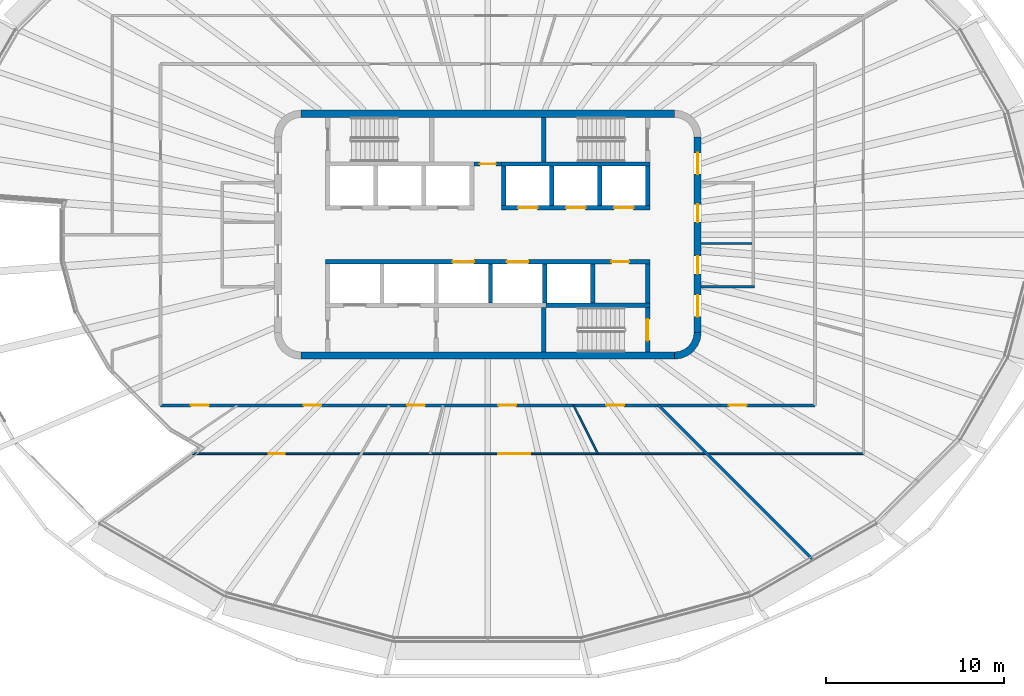
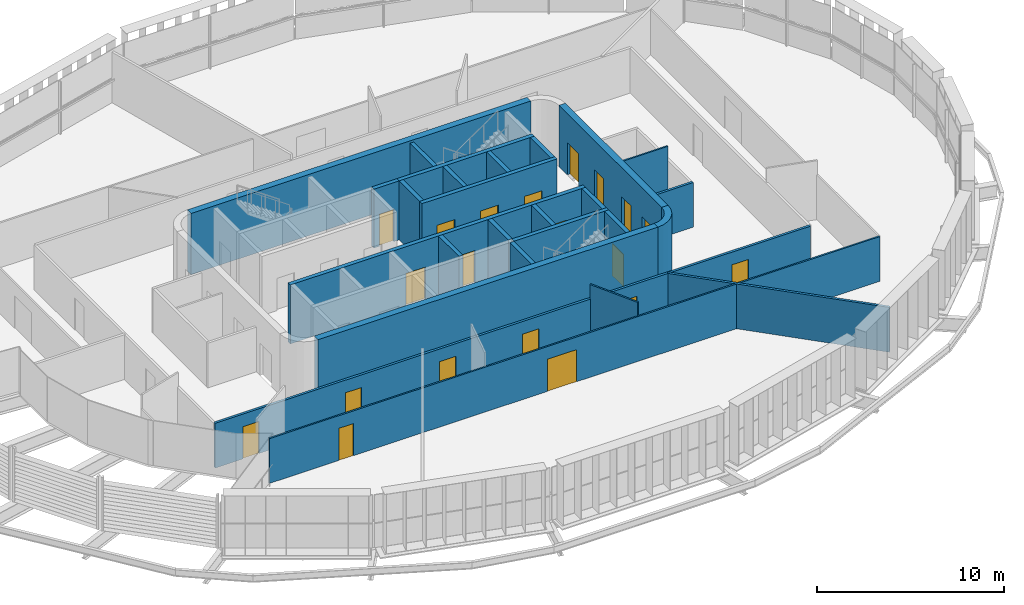
# One storey, part 11 of 19: 26 walls, 20 doors, 20 openings.
"""IFC4 building model written with IfcOpenShell, lengths in metres."""

from ifc_helpers import new_model, si_unit, direction, frame, frame_2d, origin, place, context, subcontext, project, spatial, polyline, rectangle, outline, extrude, material, layer, layer_set, type_object, element, fill, save


model = new_model("IFC4")

# Units and contexts
model_context = context("Model", 3, precision=1e-05, world=origin(), true_north=direction((0.0, 1.0)))
body_context = subcontext(model_context, "Body", "Model", "MODEL_VIEW")
ifc_project = project(units=[si_unit("LENGTHUNIT", "METRE"), si_unit("AREAUNIT", "SQUARE_METRE"), si_unit("VOLUMEUNIT", "CUBIC_METRE"), si_unit("PLANEANGLEUNIT", "RADIAN"), si_unit("MASSUNIT", "GRAM", prefix="KILO")], contexts=[model_context])

# Site, building, storey
site_placement = place(None, origin())
site = spatial("IfcSite", under=ifc_project, at=site_placement, CompositionType="ELEMENT")
building_placement = place(site_placement, origin())
building = spatial("IfcBuilding", under=site, at=building_placement, Name="Sahrelin Media Tower", CompositionType="ELEMENT")
storey_placement = place(building_placement, frame((0.0, 0.0, 229.60009765625)))
storey = spatial("IfcBuildingStorey", under=building, at=storey_placement, Name="L49", CompositionType="ELEMENT", Elevation=229.60009765625)

# Walls
ifc_material_1 = material(Name="Concrete C60/75", Category="concrete")
ifc_layer_1 = layer(ifc_material_1, 0.39990234375)
ifc_layer_set_1 = layer_set([ifc_layer_1], Name="Core wall 400")
wall_type_1 = type_object("IfcWallType", Name="Core wall 400", PredefinedType="SHEAR", material=ifc_layer_set_1)
for number, where, z_axis, x_axis, name in (
    (1, (-10.5, 6.800048828125, 0.0), (0.0, 0.0, 1.0), (1.0, 0.0, 0.0), "Core wall N L49"),
    (2, (-10.5, -6.800048828125, 0.0), (0.0, 0.0, 1.0), (1.0, 0.0, 0.0), "Core wall S L49"),
):
    element("IfcWall", number, at=place(storey_placement, frame(where, z_axis=z_axis, x_axis=x_axis)), inside=storey, type_object=wall_type_1, Name=name, PredefinedType="SHEAR", context=body_context, shape_type="SweptSolid", body=[
        extrude(rectangle(XDim=21.0, YDim=0.39990234375, at=frame_2d((10.5, 0.0))), origin(), (0.0, 0.0, 1.0), 4.0),
    ])

# Wall, openings, doors
wall_1_placement = place(storey_placement, frame((11.800048828125, -5.5, 0.0), z_axis=(0.0, 0.0, 1.0), x_axis=(0.0, 1.0, 0.0)))
wall_1 = element("IfcWall", 3, at=wall_1_placement, inside=storey, type_object=wall_type_1, Name="Core wall E L49", PredefinedType="SHEAR", context=body_context, shape_type="SweptSolid", body=[
    extrude(rectangle(XDim=11.0, YDim=0.39990234375, at=frame_2d((5.5, 0.0))), origin(), (0.0, 0.0, 1.0), 4.0),
])
opening_1_placement = place(wall_1_placement, frame((3.300048828125, 0.0, 0.0)))
opening_1 = element("IfcOpeningElement", 4, at=opening_1_placement, cuts=wall_1, Name="Opening L49-D10", PredefinedType="OPENING", context=body_context, shape_type="SweptSolid", body=[
    extrude(rectangle(XDim=1.0, YDim=2.10009765625, at=frame_2d((0.5, 1.050048828125))), frame((0.0, 0.199951171875, 0.0), z_axis=(0.0, -1.0, 0.0), x_axis=(1.0, 0.0, 0.0)), (0.0, 0.0, 1.0), 0.39990234375),
])
opening_2_placement = place(wall_1_placement, frame((6.199951171875, 0.0, 0.0)))
opening_2 = element("IfcOpeningElement", 5, at=opening_2_placement, cuts=wall_1, Name="Opening L49-D11", PredefinedType="OPENING", context=body_context, shape_type="SweptSolid", body=[
    extrude(rectangle(XDim=1.0, YDim=2.10009765625, at=frame_2d((0.5, 1.050048828125))), frame((0.0, 0.199951171875, 0.0), z_axis=(0.0, -1.0, 0.0), x_axis=(1.0, 0.0, 0.0)), (0.0, 0.0, 1.0), 0.39990234375),
])
opening_3_placement = place(wall_1_placement, frame((0.89990234375, 0.0, 0.0)))
opening_3 = element("IfcOpeningElement", 6, at=opening_3_placement, cuts=wall_1, Name="Opening L49-D14", PredefinedType="OPENING", context=body_context, shape_type="SweptSolid", body=[
    extrude(rectangle(XDim=1.199951171875, YDim=2.10009765625, at=frame_2d((0.60009765625, 1.050048828125))), frame((0.0, 0.199951171875, 0.0), z_axis=(0.0, -1.0, 0.0), x_axis=(1.0, 0.0, 0.0)), (0.0, 0.0, 1.0), 0.39990234375),
])
opening_4_placement = place(wall_1_placement, frame((8.89990234375, 0.0, 0.0)))
opening_4 = element("IfcOpeningElement", 7, at=opening_4_placement, cuts=wall_1, Name="Opening L49-D15", PredefinedType="OPENING", context=body_context, shape_type="SweptSolid", body=[
    extrude(rectangle(XDim=1.199951171875, YDim=2.10009765625, at=frame_2d((0.60009765625, 1.050048828125))), frame((0.0, 0.199951171875, 0.0), z_axis=(0.0, -1.0, 0.0), x_axis=(1.0, 0.0, 0.0)), (0.0, 0.0, 1.0), 0.39990234375),
])
ifc_material_2 = material(Name="Steel fire door leaf", Category="steel")
door_type_1 = type_object("IfcDoorType", Name="Fire door 1000 x 2100 EI 60", OperationType="NOTDEFINED", PredefinedType="DOOR", material=ifc_material_2)
door_1_placement = place(opening_1_placement, origin())
door_1 = element("IfcDoor", 8, at=door_1_placement, inside=storey, type_object=door_type_1, Name="Core room door", OperationType="SINGLE_SWING_RIGHT", OverallHeight=2.10009765625, OverallWidth=1.0, PredefinedType="DOOR", context=body_context, shape_type="SweptSolid", body=[
    extrude(rectangle(XDim=1.0, YDim=2.10009765625, at=frame_2d((0.5, 1.050048828125))), frame((0.0, 0.02490234375, 0.0), z_axis=(0.0, -1.0, 0.0), x_axis=(1.0, 0.0, 0.0)), (0.0, 0.0, 1.0), 0.050048828125),
])
fill(opening_1, door_1)
door_2_placement = place(opening_2_placement, origin())
door_2 = element("IfcDoor", 9, at=door_2_placement, inside=storey, type_object=door_type_1, Name="Core room door", OperationType="SINGLE_SWING_RIGHT", OverallHeight=2.10009765625, OverallWidth=1.0, PredefinedType="DOOR", context=body_context, shape_type="SweptSolid", body=[
    extrude(rectangle(XDim=1.0, YDim=2.10009765625, at=frame_2d((0.5, 1.050048828125))), frame((0.0, 0.02490234375, 0.0), z_axis=(0.0, -1.0, 0.0), x_axis=(1.0, 0.0, 0.0)), (0.0, 0.0, 1.0), 0.050048828125),
])
fill(opening_2, door_2)
door_type_2 = type_object("IfcDoorType", Name="Lobby door 1200 x 2100 EI 60", OperationType="NOTDEFINED", PredefinedType="DOOR", material=ifc_material_2)
door_3_placement = place(opening_3_placement, origin())
door_3 = element("IfcDoor", 10, at=door_3_placement, inside=storey, type_object=door_type_2, Name="Lobby door", OperationType="SINGLE_SWING_LEFT", OverallHeight=2.10009765625, OverallWidth=1.199951171875, PredefinedType="DOOR", context=body_context, shape_type="SweptSolid", body=[
    extrude(rectangle(XDim=1.199951171875, YDim=2.10009765625, at=frame_2d((0.60009765625, 1.050048828125))), frame((0.0, 0.02490234375, 0.0), z_axis=(0.0, -1.0, 0.0), x_axis=(1.0, 0.0, 0.0)), (0.0, 0.0, 1.0), 0.050048828125),
])
fill(opening_3, door_3)
door_4_placement = place(opening_4_placement, origin())
door_4 = element("IfcDoor", 11, at=door_4_placement, inside=storey, type_object=door_type_2, Name="Lobby door", OperationType="SINGLE_SWING_LEFT", OverallHeight=2.10009765625, OverallWidth=1.199951171875, PredefinedType="DOOR", context=body_context, shape_type="SweptSolid", body=[
    extrude(rectangle(XDim=1.199951171875, YDim=2.10009765625, at=frame_2d((0.60009765625, 1.050048828125))), frame((0.0, 0.02490234375, 0.0), z_axis=(0.0, -1.0, 0.0), x_axis=(1.0, 0.0, 0.0)), (0.0, 0.0, 1.0), 0.050048828125),
])
fill(opening_4, door_4)

# Wall
wall_2_placement = place(storey_placement, origin())
element("IfcWall", 12, at=wall_2_placement, inside=storey, type_object=wall_type_1, Name="Core wall corner SE L49", PredefinedType="SHEAR", context=body_context, shape_type="SweptSolid", body=[
    extrude(outline(polyline([(12.0, -5.5), (11.596435546875, -5.5), (11.55908203125, -5.78369140625), (11.44970703125, -6.04833984375), (11.275390625, -6.275390625), (11.04833984375, -6.44970703125), (10.78369140625, -6.55908203125), (10.5, -6.596435546875), (10.5, -7.0), (10.88818359375, -6.948974609375), (11.25, -6.799072265625), (11.560791015625, -6.560791015625), (11.799072265625, -6.25), (11.948974609375, -5.88818359375), (12.0, -5.5)])), origin(), (0.0, 0.0, 1.0), 4.0),
])

# Wall, opening, door
ifc_material_3 = material(Name="Fire-rated gypsum board partition")
ifc_layer_2 = layer(ifc_material_3, 0.25)
ifc_layer_set_2 = layer_set([ifc_layer_2], Name="Fire-rated lobby wall 250")
wall_type_2 = type_object("IfcWallType", Name="Fire-rated lobby wall 250", PredefinedType="PARTITIONING", material=ifc_layer_set_2)
wall_3_placement = place(storey_placement, frame((-0.77490234375, 3.97509765625, 0.0), z_axis=(0.0, 0.0, 1.0), x_axis=(1.0, 0.0, 0.0)))
wall_3 = element("IfcWall", 13, at=wall_3_placement, inside=storey, type_object=wall_type_2, Name="Core lobby wall", PredefinedType="PARTITIONING", context=body_context, shape_type="SweptSolid", body=[
    extrude(rectangle(XDim=1.5498046875, YDim=0.25, at=frame_2d((0.77490234375, 0.0))), origin(), (0.0, 0.0, 1.0), 3.849853515625),
])
opening_5_placement = place(wall_3_placement, frame((0.324951171875, 0.0, 0.0)))
opening_5 = element("IfcOpeningElement", 14, at=opening_5_placement, cuts=wall_3, Name="Opening L49-D06", PredefinedType="OPENING", context=body_context, shape_type="SweptSolid", body=[
    extrude(rectangle(XDim=0.89990234375, YDim=2.10009765625, at=frame_2d((0.449951171875, 1.050048828125))), frame((0.0, 0.125, 0.0), z_axis=(0.0, -1.0, 0.0), x_axis=(1.0, 0.0, 0.0)), (0.0, 0.0, 1.0), 0.25),
])
door_type_3 = type_object("IfcDoorType", Name="Riser door 900 x 2100 EI 120", OperationType="NOTDEFINED", PredefinedType="DOOR", material=ifc_material_2)
door_5_placement = place(opening_5_placement, origin())
door_5 = element("IfcDoor", 15, at=door_5_placement, inside=storey, type_object=door_type_3, Name="Core room door", OperationType="SINGLE_SWING_LEFT", OverallHeight=2.10009765625, OverallWidth=0.89990234375, PredefinedType="DOOR", context=body_context, shape_type="SweptSolid", body=[
    extrude(rectangle(XDim=0.89990234375, YDim=2.10009765625, at=frame_2d((0.449951171875, 1.050048828125))), frame((0.0, 0.02490234375, 0.0), z_axis=(0.0, -1.0, 0.0), x_axis=(1.0, 0.0, 0.0)), (0.0, 0.0, 1.0), 0.050048828125),
])
fill(opening_5, door_5)

# Walls
ifc_layer_3 = layer(ifc_material_3, 0.10009765625)
ifc_layer_set_3 = layer_set([ifc_layer_3], Name="Fire-rated partition 100")
wall_type_3 = type_object("IfcWallType", Name="Fire-rated partition 100", PredefinedType="PARTITIONING", material=ifc_layer_set_3)
wall_4_placement = place(storey_placement, frame((12.0, -0.5, 0.0), z_axis=(0.0, 0.0, 1.0), x_axis=(1.0, 0.0, 0.0)))
element("IfcWall", 16, at=wall_4_placement, inside=storey, type_object=wall_type_3, Name="Core room partition", PredefinedType="PARTITIONING", context=body_context, shape_type="SweptSolid", body=[
    extrude(rectangle(XDim=2.85009765625, YDim=0.10009765625, at=frame_2d((1.425048828125, 0.0))), origin(), (0.0, 0.0, 1.0), 3.849853515625),
])
ifc_layer_4 = layer(ifc_material_3, 0.14990234375)
ifc_layer_set_4 = layer_set([ifc_layer_4], Name="Fire-rated partition 150")
wall_type_4 = type_object("IfcWallType", Name="Fire-rated partition 150", PredefinedType="PARTITIONING", material=ifc_layer_set_4)
wall_5_placement = place(storey_placement, frame((12.0, -2.925048828125, 0.0), z_axis=(0.0, 0.0, 1.0), x_axis=(1.0, 0.0, 0.0)))
element("IfcWall", 17, at=wall_5_placement, inside=storey, type_object=wall_type_4, Name="Core room fire partition", PredefinedType="PARTITIONING", context=body_context, shape_type="SweptSolid", body=[
    extrude(rectangle(XDim=3.0, YDim=0.14990234375, at=frame_2d((1.5, 0.0))), origin(), (0.0, 0.0, 1.0), 2.918212890625),
])
wall_6_placement = place(storey_placement, frame((9.60009765625, -9.60009765625, 0.0), z_axis=(0.0, 0.0, 1.0), x_axis=(0.707106781187, -0.707106781187, 0.0)))
element("IfcWall", 18, at=wall_6_placement, inside=storey, type_object=wall_type_4, Name="Wall", PredefinedType="PARTITIONING", context=body_context, shape_type="SweptSolid", body=[
    extrude(rectangle(XDim=12.310546875, YDim=0.14990234375, at=frame_2d((6.1552734375, 0.0))), origin(), (0.0, 0.0, 1.0), 2.927001953125),
])

# Wall, openings, doors
wall_7_placement = place(storey_placement, frame((-18.39990234375, -9.60009765625, 0.0), z_axis=(0.0, 0.0, 1.0), x_axis=(1.0, 0.0, 0.0)))
wall_7 = element("IfcWall", 19, at=wall_7_placement, inside=storey, type_object=wall_type_4, Name="Wall", PredefinedType="PARTITIONING", context=body_context, shape_type="SweptSolid", body=[
    extrude(rectangle(XDim=36.7998046875, YDim=0.14990234375, at=frame_2d((18.39990234375, 0.0))), origin(), (0.0, 0.0, 1.0), 2.927001953125),
])
opening_6_placement = place(wall_7_placement, frame((13.865966796875, 0.0, 0.0)))
opening_6 = element("IfcOpeningElement", 20, at=opening_6_placement, cuts=wall_7, Name="Opening L49-D16", PredefinedType="OPENING", context=body_context, shape_type="SweptSolid", body=[
    extrude(rectangle(XDim=1.0, YDim=2.10009765625, at=frame_2d((0.5, 1.050048828125))), frame((0.0, 0.074951171875, 0.0), z_axis=(0.0, -1.0, 0.0), x_axis=(1.0, 0.0, 0.0)), (0.0, 0.0, 1.0), 0.14990234375),
])
opening_7_placement = place(wall_7_placement, frame((18.9990234375, 0.0, 0.0)))
opening_7 = element("IfcOpeningElement", 21, at=opening_7_placement, cuts=wall_7, Name="Opening L49-D17", PredefinedType="OPENING", context=body_context, shape_type="SweptSolid", body=[
    extrude(rectangle(XDim=1.0, YDim=2.10009765625, at=frame_2d((0.5, 1.050048828125))), frame((0.0, 0.074951171875, 0.0), z_axis=(0.0, -1.0, 0.0), x_axis=(1.0, 0.0, 0.0)), (0.0, 0.0, 1.0), 0.14990234375),
])
opening_8_placement = place(wall_7_placement, frame((25.060546875, 0.0, 0.0)))
opening_8 = element("IfcOpeningElement", 22, at=opening_8_placement, cuts=wall_7, Name="Opening L49-D18", PredefinedType="OPENING", context=body_context, shape_type="SweptSolid", body=[
    extrude(rectangle(XDim=1.0, YDim=2.10009765625, at=frame_2d((0.5, 1.050048828125))), frame((0.0, 0.074951171875, 0.0), z_axis=(0.0, -1.0, 0.0), x_axis=(1.0, 0.0, 0.0)), (0.0, 0.0, 1.0), 0.14990234375),
])
opening_9_placement = place(wall_7_placement, frame((31.95068359375, 0.0, 0.0)))
opening_9 = element("IfcOpeningElement", 23, at=opening_9_placement, cuts=wall_7, Name="Opening L49-D20", PredefinedType="OPENING", context=body_context, shape_type="SweptSolid", body=[
    extrude(rectangle(XDim=1.0, YDim=2.10009765625, at=frame_2d((0.5, 1.050048828125))), frame((0.0, 0.074951171875, 0.0), z_axis=(0.0, -1.0, 0.0), x_axis=(1.0, 0.0, 0.0)), (0.0, 0.0, 1.0), 0.14990234375),
])
opening_10_placement = place(wall_7_placement, frame((1.7099609375, 0.0, 0.0)))
opening_10 = element("IfcOpeningElement", 24, at=opening_10_placement, cuts=wall_7, Name="Opening L49-D31", PredefinedType="OPENING", context=body_context, shape_type="SweptSolid", body=[
    extrude(rectangle(XDim=1.0, YDim=2.10009765625, at=frame_2d((0.5, 1.050048828125))), frame((0.0, 0.074951171875, 0.0), z_axis=(0.0, -1.0, 0.0), x_axis=(1.0, 0.0, 0.0)), (0.0, 0.0, 1.0), 0.14990234375),
])
opening_11_placement = place(wall_7_placement, frame((8.03759765625, 0.0, 0.0)))
opening_11 = element("IfcOpeningElement", 25, at=opening_11_placement, cuts=wall_7, Name="Opening L49-D32", PredefinedType="OPENING", context=body_context, shape_type="SweptSolid", body=[
    extrude(rectangle(XDim=1.0, YDim=2.10009765625, at=frame_2d((0.5, 1.050048828125))), frame((0.0, 0.074951171875, 0.0), z_axis=(0.0, -1.0, 0.0), x_axis=(1.0, 0.0, 0.0)), (0.0, 0.0, 1.0), 0.14990234375),
])
door_6_placement = place(opening_6_placement, origin())
door_6 = element("IfcDoor", 26, at=door_6_placement, inside=storey, type_object=door_type_1, Name="Fire door", OperationType="SINGLE_SWING_RIGHT", OverallHeight=2.10009765625, OverallWidth=1.0, PredefinedType="DOOR", context=body_context, shape_type="SweptSolid", body=[
    extrude(rectangle(XDim=1.0, YDim=2.10009765625, at=frame_2d((0.5, 1.050048828125))), frame((0.0, 0.02490234375, 0.0), z_axis=(0.0, -1.0, 0.0), x_axis=(1.0, 0.0, 0.0)), (0.0, 0.0, 1.0), 0.050048828125),
])
fill(opening_6, door_6)
door_7_placement = place(opening_7_placement, origin())
door_7 = element("IfcDoor", 27, at=door_7_placement, inside=storey, type_object=door_type_1, Name="Fire door", OperationType="SINGLE_SWING_LEFT", OverallHeight=2.10009765625, OverallWidth=1.0, PredefinedType="DOOR", context=body_context, shape_type="SweptSolid", body=[
    extrude(rectangle(XDim=1.0, YDim=2.10009765625, at=frame_2d((0.5, 1.050048828125))), frame((0.0, 0.02490234375, 0.0), z_axis=(0.0, -1.0, 0.0), x_axis=(1.0, 0.0, 0.0)), (0.0, 0.0, 1.0), 0.050048828125),
])
fill(opening_7, door_7)
door_8_placement = place(opening_8_placement, origin())
door_8 = element("IfcDoor", 28, at=door_8_placement, inside=storey, type_object=door_type_1, Name="Fire door", OperationType="SINGLE_SWING_RIGHT", OverallHeight=2.10009765625, OverallWidth=1.0, PredefinedType="DOOR", context=body_context, shape_type="SweptSolid", body=[
    extrude(rectangle(XDim=1.0, YDim=2.10009765625, at=frame_2d((0.5, 1.050048828125))), frame((0.0, 0.02490234375, 0.0), z_axis=(0.0, -1.0, 0.0), x_axis=(1.0, 0.0, 0.0)), (0.0, 0.0, 1.0), 0.050048828125),
])
fill(opening_8, door_8)
door_9_placement = place(opening_9_placement, origin())
door_9 = element("IfcDoor", 29, at=door_9_placement, inside=storey, type_object=door_type_1, Name="Fire door", OperationType="SINGLE_SWING_RIGHT", OverallHeight=2.10009765625, OverallWidth=1.0, PredefinedType="DOOR", context=body_context, shape_type="SweptSolid", body=[
    extrude(rectangle(XDim=1.0, YDim=2.10009765625, at=frame_2d((0.5, 1.050048828125))), frame((0.0, 0.02490234375, 0.0), z_axis=(0.0, -1.0, 0.0), x_axis=(1.0, 0.0, 0.0)), (0.0, 0.0, 1.0), 0.050048828125),
])
fill(opening_9, door_9)
door_10_placement = place(opening_10_placement, origin())
door_10 = element("IfcDoor", 30, at=door_10_placement, inside=storey, type_object=door_type_1, Name="Fire door", OperationType="SINGLE_SWING_RIGHT", OverallHeight=2.10009765625, OverallWidth=1.0, PredefinedType="DOOR", context=body_context, shape_type="SweptSolid", body=[
    extrude(rectangle(XDim=1.0, YDim=2.10009765625, at=frame_2d((0.5, 1.050048828125))), frame((0.0, 0.02490234375, 0.0), z_axis=(0.0, -1.0, 0.0), x_axis=(1.0, 0.0, 0.0)), (0.0, 0.0, 1.0), 0.050048828125),
])
fill(opening_10, door_10)
door_11_placement = place(opening_11_placement, origin())
door_11 = element("IfcDoor", 31, at=door_11_placement, inside=storey, type_object=door_type_1, Name="Fire door", OperationType="SINGLE_SWING_LEFT", OverallHeight=2.10009765625, OverallWidth=1.0, PredefinedType="DOOR", context=body_context, shape_type="SweptSolid", body=[
    extrude(rectangle(XDim=1.0, YDim=2.10009765625, at=frame_2d((0.5, 1.050048828125))), frame((0.0, 0.02490234375, 0.0), z_axis=(0.0, -1.0, 0.0), x_axis=(1.0, 0.0, 0.0)), (0.0, 0.0, 1.0), 0.050048828125),
])
fill(opening_11, door_11)

ifc_layer_5 = layer(ifc_material_1, 0.25)
ifc_layer_set_5 = layer_set([ifc_layer_5], Name="Lift shaft wall 250")
wall_type_5 = type_object("IfcWallType", Name="Lift shaft wall 250", PredefinedType="SOLIDWALL", material=ifc_layer_set_5)
wall_8_placement = place(storey_placement, frame((0.77490234375, 1.52490234375, 0.0), z_axis=(0.0, 0.0, 1.0), x_axis=(1.0, 0.0, 0.0)))
wall_8 = element("IfcWall", 32, at=wall_8_placement, inside=storey, type_object=wall_type_5, Name="Lift shaft wall", PredefinedType="SOLIDWALL", context=body_context, shape_type="SweptSolid", body=[
    extrude(rectangle(XDim=8.35009765625, YDim=0.25, at=frame_2d((4.175048828125, 0.0))), origin(), (0.0, 0.0, 1.0), 3.849853515625),
])
opening_12_placement = place(wall_8_placement, frame((0.925048828125, 0.0, 0.0)))
opening_12 = element("IfcOpeningElement", 33, at=opening_12_placement, cuts=wall_8, Name="Opening L49-LD-HR4", PredefinedType="OPENING", context=body_context, shape_type="SweptSolid", body=[
    extrude(rectangle(XDim=1.10009765625, YDim=2.10009765625, at=frame_2d((0.550048828125, 1.050048828125))), frame((0.0, 0.125, 0.0), z_axis=(0.0, -1.0, 0.0), x_axis=(1.0, 0.0, 0.0)), (0.0, 0.0, 1.0), 0.25),
])
opening_13_placement = place(wall_8_placement, frame((3.625, 0.0, 0.0)))
opening_13 = element("IfcOpeningElement", 34, at=opening_13_placement, cuts=wall_8, Name="Opening L49-LD-HR5", PredefinedType="OPENING", context=body_context, shape_type="SweptSolid", body=[
    extrude(rectangle(XDim=1.10009765625, YDim=2.10009765625, at=frame_2d((0.550048828125, 1.050048828125))), frame((0.0, 0.125, 0.0), z_axis=(0.0, -1.0, 0.0), x_axis=(1.0, 0.0, 0.0)), (0.0, 0.0, 1.0), 0.25),
])
opening_14_placement = place(wall_8_placement, frame((6.324951171875, 0.0, 0.0)))
opening_14 = element("IfcOpeningElement", 35, at=opening_14_placement, cuts=wall_8, Name="Opening L49-LD-HR6", PredefinedType="OPENING", context=body_context, shape_type="SweptSolid", body=[
    extrude(rectangle(XDim=1.10009765625, YDim=2.10009765625, at=frame_2d((0.550048828125, 1.050048828125))), frame((0.0, 0.125, 0.0), z_axis=(0.0, -1.0, 0.0), x_axis=(1.0, 0.0, 0.0)), (0.0, 0.0, 1.0), 0.25),
])
ifc_material_4 = material(Name="Stainless steel", Category="steel")
door_type_4 = type_object("IfcDoorType", Name="Lift landing door 1100 x 2100 EI 120", OperationType="DOUBLE_DOOR_SLIDING", PredefinedType="DOOR", material=ifc_material_4)
door_12_placement = place(opening_12_placement, origin())
door_12 = element("IfcDoor", 36, at=door_12_placement, inside=storey, type_object=door_type_4, Name="Lift landing door HR4", OperationType="DOUBLE_DOOR_SLIDING", OverallHeight=2.10009765625, OverallWidth=1.10009765625, PredefinedType="DOOR", context=body_context, shape_type="SweptSolid", body=[
    extrude(rectangle(XDim=1.10009765625, YDim=2.10009765625, at=frame_2d((0.550048828125, 1.050048828125))), frame((0.0, 0.02490234375, 0.0), z_axis=(0.0, -1.0, 0.0), x_axis=(1.0, 0.0, 0.0)), (0.0, 0.0, 1.0), 0.050048828125),
])
fill(opening_12, door_12)
door_13_placement = place(opening_13_placement, origin())
door_13 = element("IfcDoor", 37, at=door_13_placement, inside=storey, type_object=door_type_4, Name="Lift landing door HR5", OperationType="DOUBLE_DOOR_SLIDING", OverallHeight=2.10009765625, OverallWidth=1.10009765625, PredefinedType="DOOR", context=body_context, shape_type="SweptSolid", body=[
    extrude(rectangle(XDim=1.10009765625, YDim=2.10009765625, at=frame_2d((0.550048828125, 1.050048828125))), frame((0.0, 0.02490234375, 0.0), z_axis=(0.0, -1.0, 0.0), x_axis=(1.0, 0.0, 0.0)), (0.0, 0.0, 1.0), 0.050048828125),
])
fill(opening_13, door_13)
door_14_placement = place(opening_14_placement, origin())
door_14 = element("IfcDoor", 38, at=door_14_placement, inside=storey, type_object=door_type_4, Name="Lift landing door HR6", OperationType="DOUBLE_DOOR_SLIDING", OverallHeight=2.10009765625, OverallWidth=1.10009765625, PredefinedType="DOOR", context=body_context, shape_type="SweptSolid", body=[
    extrude(rectangle(XDim=1.10009765625, YDim=2.10009765625, at=frame_2d((0.550048828125, 1.050048828125))), frame((0.0, 0.02490234375, 0.0), z_axis=(0.0, -1.0, 0.0), x_axis=(1.0, 0.0, 0.0)), (0.0, 0.0, 1.0), 0.050048828125),
])
fill(opening_14, door_14)

# Walls
wall_9_placement = place(storey_placement, frame((0.77490234375, 3.97509765625, 0.0), z_axis=(0.0, 0.0, 1.0), x_axis=(1.0, 0.0, 0.0)))
element("IfcWall", 39, at=wall_9_placement, inside=storey, type_object=wall_type_5, Name="Lift shaft wall", PredefinedType="SOLIDWALL", context=body_context, shape_type="SweptSolid", body=[
    extrude(rectangle(XDim=8.35009765625, YDim=0.25, at=frame_2d((4.175048828125, 0.0))), origin(), (0.0, 0.0, 1.0), 3.849853515625),
])
for number, where, z_axis, x_axis, name in (
    (40, (9.0, 1.64990234375, 0.0), (0.0, 0.0, 1.0), (0.0, 1.0, 0.0), "Lift shaft wall"),
    (41, (6.300048828125, 1.64990234375, 0.0), (0.0, 0.0, 1.0), (0.0, 1.0, 0.0), "Lift shaft wall"),
    (42, (3.60009765625, 1.64990234375, 0.0), (0.0, 0.0, 1.0), (0.0, 1.0, 0.0), "Lift shaft wall"),
    (43, (0.89990234375, 1.64990234375, 0.0), (0.0, 0.0, 1.0), (0.0, 1.0, 0.0), "Lift shaft wall"),
):
    element("IfcWall", number, at=place(storey_placement, frame(where, z_axis=z_axis, x_axis=x_axis)), inside=storey, type_object=wall_type_5, Name=name, PredefinedType="SOLIDWALL", context=body_context, shape_type="SweptSolid", body=[
        extrude(rectangle(XDim=2.2001953125, YDim=0.25, at=frame_2d((1.10009765625, 0.0))), origin(), (0.0, 0.0, 1.0), 3.849853515625),
    ])

# Wall, openings, doors
wall_10_placement = place(storey_placement, frame((-9.125, -1.52490234375, 0.0), z_axis=(0.0, 0.0, 1.0), x_axis=(1.0, 0.0, 0.0)))
wall_10 = element("IfcWall", 44, at=wall_10_placement, inside=storey, type_object=wall_type_5, Name="Lift shaft wall", PredefinedType="SOLIDWALL", context=body_context, shape_type="SweptSolid", body=[
    extrude(rectangle(XDim=18.25, YDim=0.25, at=frame_2d((9.125, 0.0))), origin(), (0.0, 0.0, 1.0), 3.849853515625),
])
opening_15_placement = place(wall_10_placement, frame((7.14990234375, 0.0, 0.0)))
opening_15 = element("IfcOpeningElement", 45, at=opening_15_placement, cuts=wall_10, Name="Opening L49-LD-SV1", PredefinedType="OPENING", context=body_context, shape_type="SweptSolid", body=[
    extrude(rectangle(XDim=1.199951171875, YDim=2.10009765625, at=frame_2d((0.60009765625, 1.050048828125))), frame((0.0, 0.125, 0.0), z_axis=(0.0, -1.0, 0.0), x_axis=(1.0, 0.0, 0.0)), (0.0, 0.0, 1.0), 0.25),
])
opening_16_placement = place(wall_10_placement, frame((10.199951171875, 0.0, 0.0)))
opening_16 = element("IfcOpeningElement", 46, at=opening_16_placement, cuts=wall_10, Name="Opening L49-LD-SV2", PredefinedType="OPENING", context=body_context, shape_type="SweptSolid", body=[
    extrude(rectangle(XDim=1.199951171875, YDim=2.10009765625, at=frame_2d((0.60009765625, 1.050048828125))), frame((0.0, 0.125, 0.0), z_axis=(0.0, -1.0, 0.0), x_axis=(1.0, 0.0, 0.0)), (0.0, 0.0, 1.0), 0.25),
])
opening_17_placement = place(wall_10_placement, frame((16.074951171875, 0.0, 0.0)))
opening_17 = element("IfcOpeningElement", 47, at=opening_17_placement, cuts=wall_10, Name="Opening L49-D07", PredefinedType="OPENING", context=body_context, shape_type="SweptSolid", body=[
    extrude(rectangle(XDim=1.0, YDim=2.10009765625, at=frame_2d((0.5, 1.050048828125))), frame((0.0, 0.125, 0.0), z_axis=(0.0, -1.0, 0.0), x_axis=(1.0, 0.0, 0.0)), (0.0, 0.0, 1.0), 0.25),
])
door_15_placement = place(opening_17_placement, origin())
door_15 = element("IfcDoor", 48, at=door_15_placement, inside=storey, type_object=door_type_1, Name="Core room door", OperationType="SINGLE_SWING_RIGHT", OverallHeight=2.10009765625, OverallWidth=1.0, PredefinedType="DOOR", context=body_context, shape_type="SweptSolid", body=[
    extrude(rectangle(XDim=1.0, YDim=2.10009765625, at=frame_2d((0.5, 1.050048828125))), frame((0.0, 0.02490234375, 0.0), z_axis=(0.0, -1.0, 0.0), x_axis=(1.0, 0.0, 0.0)), (0.0, 0.0, 1.0), 0.050048828125),
])
fill(opening_17, door_15)
door_type_5 = type_object("IfcDoorType", Name="Lift landing door 1200 x 2100 EI 120", OperationType="DOUBLE_DOOR_SLIDING", PredefinedType="DOOR", material=ifc_material_4)
door_16_placement = place(opening_15_placement, origin())
door_16 = element("IfcDoor", 49, at=door_16_placement, inside=storey, type_object=door_type_5, Name="Lift landing door SV1", OperationType="DOUBLE_DOOR_SLIDING", OverallHeight=2.10009765625, OverallWidth=1.199951171875, PredefinedType="DOOR", context=body_context, shape_type="SweptSolid", body=[
    extrude(rectangle(XDim=1.199951171875, YDim=2.10009765625, at=frame_2d((0.60009765625, 1.050048828125))), frame((0.0, 0.02490234375, 0.0), z_axis=(0.0, -1.0, 0.0), x_axis=(1.0, 0.0, 0.0)), (0.0, 0.0, 1.0), 0.050048828125),
])
fill(opening_15, door_16)
door_17_placement = place(opening_16_placement, origin())
door_17 = element("IfcDoor", 50, at=door_17_placement, inside=storey, type_object=door_type_5, Name="Lift landing door SV2", OperationType="DOUBLE_DOOR_SLIDING", OverallHeight=2.10009765625, OverallWidth=1.199951171875, PredefinedType="DOOR", context=body_context, shape_type="SweptSolid", body=[
    extrude(rectangle(XDim=1.199951171875, YDim=2.10009765625, at=frame_2d((0.60009765625, 1.050048828125))), frame((0.0, 0.02490234375, 0.0), z_axis=(0.0, -1.0, 0.0), x_axis=(1.0, 0.0, 0.0)), (0.0, 0.0, 1.0), 0.050048828125),
])
fill(opening_16, door_17)

# Walls
wall_11_placement = place(storey_placement, frame((3.27490234375, -3.97509765625, 0.0), z_axis=(0.0, 0.0, 1.0), x_axis=(1.0, 0.0, 0.0)))
element("IfcWall", 51, at=wall_11_placement, inside=storey, type_object=wall_type_5, Name="Lift shaft wall", PredefinedType="SOLIDWALL", context=body_context, shape_type="SweptSolid", body=[
    extrude(rectangle(XDim=5.85009765625, YDim=0.25, at=frame_2d((2.925048828125, 0.0))), origin(), (0.0, 0.0, 1.0), 3.849853515625),
])
for number, where, z_axis, x_axis, name in (
    (52, (0.14990234375, -3.85009765625, 0.0), (0.0, 0.0, 1.0), (0.0, 1.0, 0.0), "Lift shaft wall"),
    (53, (3.199951171875, -3.85009765625, 0.0), (0.0, 0.0, 1.0), (0.0, 1.0, 0.0), "Lift shaft wall"),
    (54, (5.89990234375, -3.85009765625, 0.0), (0.0, 0.0, 1.0), (0.0, 1.0, 0.0), "Lift shaft wall"),
    (55, (9.0, -3.85009765625, 0.0), (0.0, 0.0, 1.0), (0.0, 1.0, 0.0), "Lift shaft wall"),
):
    element("IfcWall", number, at=place(storey_placement, frame(where, z_axis=z_axis, x_axis=x_axis)), inside=storey, type_object=wall_type_5, Name=name, PredefinedType="SOLIDWALL", context=body_context, shape_type="SweptSolid", body=[
        extrude(rectangle(XDim=2.2001953125, YDim=0.25, at=frame_2d((1.10009765625, 0.0))), origin(), (0.0, 0.0, 1.0), 3.849853515625),
    ])
ifc_material_5 = material(Name="Gypsum board partition")
ifc_layer_6 = layer(ifc_material_5, 0.10009765625)
ifc_layer_set_6 = layer_set([ifc_layer_6], Name="Partition 100")
wall_type_6 = type_object("IfcWallType", Name="Partition 100", PredefinedType="PARTITIONING", material=ifc_layer_set_6)
wall_12_placement = place(storey_placement, frame((4.823974609375, -9.60009765625, 0.0), z_axis=(0.0, 0.0, 1.0), x_axis=(0.449041226729, -0.893511038934, 0.0)))
element("IfcWall", 56, at=wall_12_placement, inside=storey, type_object=wall_type_6, Name="Wall", PredefinedType="PARTITIONING", context=body_context, shape_type="SweptSolid", body=[
    extrude(rectangle(XDim=3.044189453125, YDim=0.10009765625, at=frame_2d((1.52197265625, 0.0))), origin(), (0.0, 0.0, 1.0), 3.849853515625),
])

# Wall, openings, doors
wall_13_placement = place(storey_placement, frame((-16.614990234375, -12.320068359375, 0.0), z_axis=(0.0, 0.0, 1.0), x_axis=(1.0, 0.0, 0.0)))
wall_13 = element("IfcWall", 57, at=wall_13_placement, inside=storey, type_object=wall_type_6, Name="Wall", PredefinedType="PARTITIONING", context=body_context, shape_type="SweptSolid", body=[
    extrude(rectangle(XDim=37.735107421875, YDim=0.10009765625, at=frame_2d((18.86767578125, 0.0))), origin(), (0.0, 0.0, 1.0), 2.927001953125),
])
opening_18_placement = place(wall_13_placement, frame((17.1904296875, 0.0, 0.0)))
opening_18 = element("IfcOpeningElement", 58, at=opening_18_placement, cuts=wall_13, Name="Opening L49-D19", PredefinedType="OPENING", context=body_context, shape_type="SweptSolid", body=[
    extrude(rectangle(XDim=1.800048828125, YDim=2.10009765625, at=frame_2d((0.89990234375, 1.050048828125))), frame((0.0, 0.050048828125, 0.0), z_axis=(0.0, -1.0, 0.0), x_axis=(1.0, 0.0, 0.0)), (0.0, 0.0, 1.0), 0.10009765625),
])
opening_19_placement = place(wall_13_placement, frame((4.301025390625, 0.0, 0.0)))
opening_19 = element("IfcOpeningElement", 59, at=opening_19_placement, cuts=wall_13, Name="Opening L49-D33", PredefinedType="OPENING", context=body_context, shape_type="SweptSolid", body=[
    extrude(rectangle(XDim=0.89990234375, YDim=2.10009765625, at=frame_2d((0.449951171875, 1.050048828125))), frame((0.0, 0.050048828125, 0.0), z_axis=(0.0, -1.0, 0.0), x_axis=(1.0, 0.0, 0.0)), (0.0, 0.0, 1.0), 0.10009765625),
])
ifc_material_6 = material(Name="Timber door leaf", Category="wood")
door_type_6 = type_object("IfcDoorType", Name="Double door 1800 x 2100", OperationType="DOUBLE_DOOR_SINGLE_SWING", PredefinedType="DOOR", material=ifc_material_6)
door_18_placement = place(opening_18_placement, origin())
door_18 = element("IfcDoor", 60, at=door_18_placement, inside=storey, type_object=door_type_6, Name="Double door", OperationType="DOUBLE_DOOR_SINGLE_SWING", OverallHeight=2.10009765625, OverallWidth=1.800048828125, PredefinedType="DOOR", context=body_context, shape_type="SweptSolid", body=[
    extrude(rectangle(XDim=1.800048828125, YDim=2.10009765625, at=frame_2d((0.89990234375, 1.050048828125))), frame((0.0, 0.02490234375, 0.0), z_axis=(0.0, -1.0, 0.0), x_axis=(1.0, 0.0, 0.0)), (0.0, 0.0, 1.0), 0.050048828125),
])
fill(opening_18, door_18)
door_type_7 = type_object("IfcDoorType", Name="Single door 900 x 2100", OperationType="NOTDEFINED", PredefinedType="DOOR", material=ifc_material_6)
door_19_placement = place(opening_19_placement, origin())
door_19 = element("IfcDoor", 61, at=door_19_placement, inside=storey, type_object=door_type_7, Name="Single door", OperationType="SINGLE_SWING_RIGHT", OverallHeight=2.10009765625, OverallWidth=0.89990234375, PredefinedType="DOOR", context=body_context, shape_type="SweptSolid", body=[
    extrude(rectangle(XDim=0.89990234375, YDim=2.10009765625, at=frame_2d((0.449951171875, 1.050048828125))), frame((0.0, 0.02490234375, 0.0), z_axis=(0.0, -1.0, 0.0), x_axis=(1.0, 0.0, 0.0)), (0.0, 0.0, 1.0), 0.050048828125),
])
fill(opening_19, door_19)

# Wall, opening, door
ifc_layer_7 = layer(ifc_material_1, 0.25)
ifc_layer_set_7 = layer_set([ifc_layer_7], Name="Stair enclosure wall 250")
wall_type_7 = type_object("IfcWallType", Name="Stair enclosure wall 250", PredefinedType="SOLIDWALL", material=ifc_layer_set_7)
wall_14_placement = place(storey_placement, frame((9.0, -6.60009765625, 0.0), z_axis=(0.0, 0.0, 1.0), x_axis=(0.0, 1.0, 0.0)))
wall_14 = element("IfcWall", 62, at=wall_14_placement, inside=storey, type_object=wall_type_7, Name="Stair enclosure wall", PredefinedType="SOLIDWALL", context=body_context, shape_type="SweptSolid", body=[
    extrude(rectangle(XDim=2.5, YDim=0.25, at=frame_2d((1.25, 0.0))), origin(), (0.0, 0.0, 1.0), 3.849853515625),
])
opening_20_placement = place(wall_14_placement, frame((0.64990234375, 0.0, 0.0)))
opening_20 = element("IfcOpeningElement", 63, at=opening_20_placement, cuts=wall_14, Name="Opening L49-D03", PredefinedType="OPENING", context=body_context, shape_type="SweptSolid", body=[
    extrude(rectangle(XDim=1.199951171875, YDim=2.10009765625, at=frame_2d((0.60009765625, 1.050048828125))), frame((0.0, 0.125, 0.0), z_axis=(0.0, -1.0, 0.0), x_axis=(1.0, 0.0, 0.0)), (0.0, 0.0, 1.0), 0.25),
])
door_type_8 = type_object("IfcDoorType", Name="Stair door 1200 x 2100 EI 120", OperationType="NOTDEFINED", PredefinedType="DOOR", material=ifc_material_2)
door_20_placement = place(opening_20_placement, origin())
door_20 = element("IfcDoor", 64, at=door_20_placement, inside=storey, type_object=door_type_8, Name="Stair door ST2", OperationType="SINGLE_SWING_LEFT", OverallHeight=2.10009765625, OverallWidth=1.199951171875, PredefinedType="DOOR", context=body_context, shape_type="SweptSolid", body=[
    extrude(rectangle(XDim=1.199951171875, YDim=2.10009765625, at=frame_2d((0.60009765625, 1.050048828125))), frame((0.0, 0.02490234375, 0.0), z_axis=(0.0, -1.0, 0.0), x_axis=(1.0, 0.0, 0.0)), (0.0, 0.0, 1.0), 0.050048828125),
])
fill(opening_20, door_20)

# Walls
for number, where, z_axis, x_axis, name in (
    (65, (3.14990234375, 4.10009765625, 0.0), (0.0, 0.0, 1.0), (0.0, 1.0, 0.0), "Stair enclosure wall"),
    (66, (3.14990234375, -6.60009765625, 0.0), (0.0, 0.0, 1.0), (0.0, 1.0, 0.0), "Stair enclosure wall"),
):
    element("IfcWall", number, at=place(storey_placement, frame(where, z_axis=z_axis, x_axis=x_axis)), inside=storey, type_object=wall_type_7, Name=name, PredefinedType="SOLIDWALL", context=body_context, shape_type="SweptSolid", body=[
        extrude(rectangle(XDim=2.5, YDim=0.25, at=frame_2d((1.25, 0.0))), origin(), (0.0, 0.0, 1.0), 3.849853515625),
    ])

save(model, "model.ifc")
